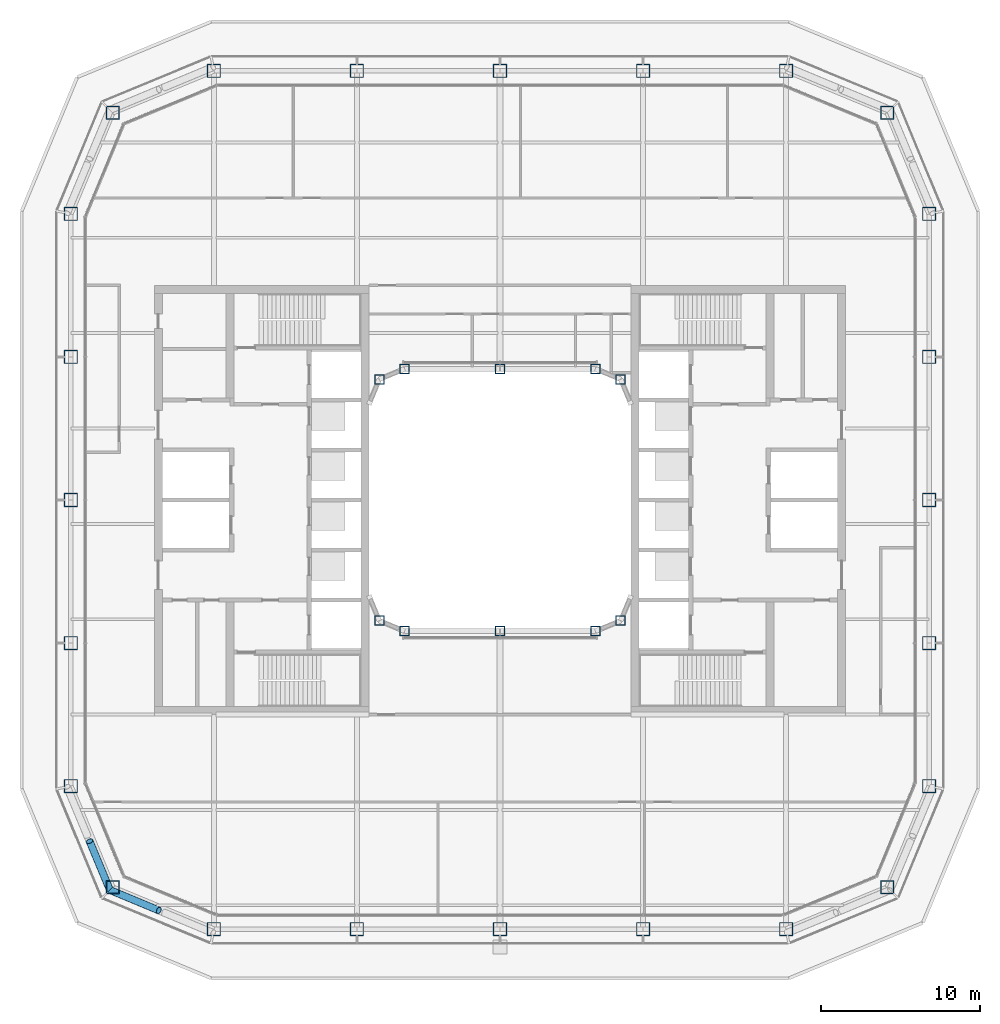
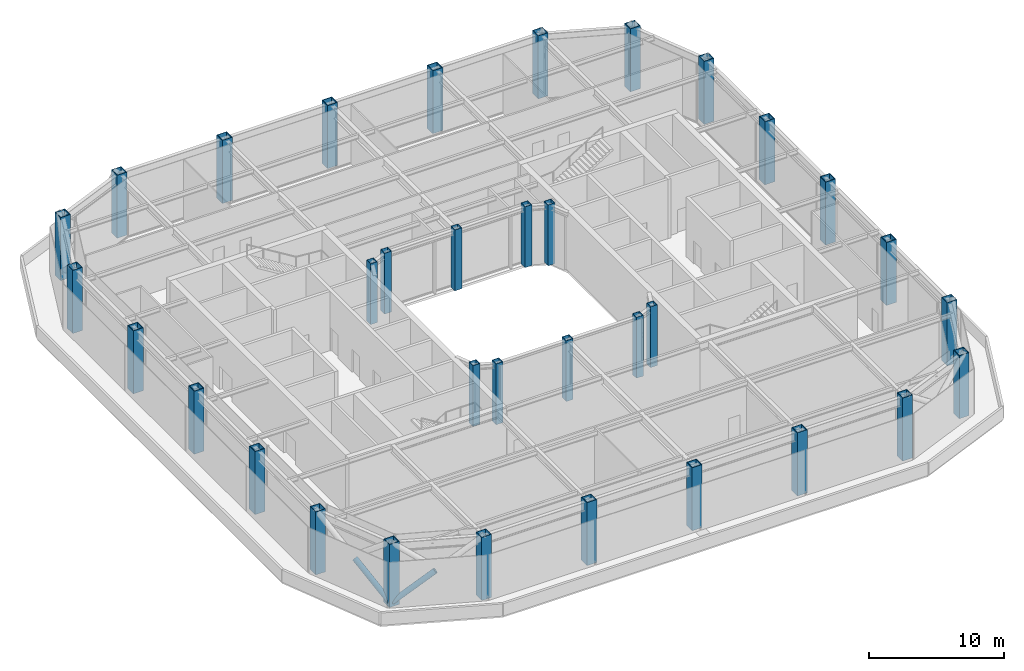
# One storey, part 1 of 19: 34 columns, 2 members.
"""IFC4 building model written with IfcOpenShell, lengths in metres."""

from ifc_helpers import new_model, si_unit, direction, frame, origin, origin_2d, place, context, subcontext, project, spatial, hollow_rectangle, hollow_circle, extrude, material, material_profile, profile_set, type_object, element, save


model = new_model("IFC4")

# Units and contexts
model_context = context("Model", 3, precision=1e-05, world=origin(), true_north=direction((0.0, 1.0)))
body_context = subcontext(model_context, "Body", "Model", "MODEL_VIEW")
ifc_project = project(units=[si_unit("LENGTHUNIT", "METRE"), si_unit("AREAUNIT", "SQUARE_METRE"), si_unit("VOLUMEUNIT", "CUBIC_METRE"), si_unit("PLANEANGLEUNIT", "RADIAN"), si_unit("MASSUNIT", "GRAM", prefix="KILO")], contexts=[model_context])

# Site, building, storey
site_placement = place(None, origin())
site = spatial("IfcSite", under=ifc_project, at=site_placement, CompositionType="ELEMENT")
building_placement = place(site_placement, origin())
building = spatial("IfcBuilding", under=site, at=building_placement, Name="Siwar Civic Tower", CompositionType="ELEMENT")
storey_placement = place(building_placement, frame((0.0, 0.0, 187.199951171875)))
storey = spatial("IfcBuildingStorey", under=building, at=storey_placement, Name="L40", CompositionType="ELEMENT", Elevation=187.199951171875)

# Columns
ifc_material_1 = material(Name="Steel S355", Category="steel")
ifc_material_profile_1 = material_profile(ifc_material_1, hollow_rectangle(XDim=0.85009765625, YDim=0.85009765625, WallThickness=0.050048828125, at=origin_2d()), Name="BOX850x850x50")
ifc_profile_set_1 = profile_set([ifc_material_profile_1], Name="Steel S355")
column_type_1 = type_object("IfcColumnType", Name="STR-COL-BOX850x850x50", PredefinedType="COLUMN", material=ifc_profile_set_1)
for number, where, z_axis, x_axis, name in (
    (1, (-18.0, -27.0, -0.199951171875), (0.0, 0.0, 1.0), (1.0, 0.0, 0.0), "L40/col/S-0"),
    (2, (-9.0, -27.0, -0.199951171875), (0.0, 0.0, 1.0), (1.0, 0.0, 0.0), "L40/col/S-1"),
    (3, (0.0, -27.0, -0.199951171875), (0.0, 0.0, 1.0), (1.0, 0.0, 0.0), "L40/col/S-2"),
    (4, (9.0, -27.0, -0.199951171875), (0.0, 0.0, 1.0), (1.0, 0.0, 0.0), "L40/col/S-3"),
    (5, (18.0, -27.0, -0.199951171875), (0.0, 0.0, 1.0), (1.0, 0.0, 0.0), "L40/col/SE1-0"),
    (6, (24.364013671875, -24.364013671875, -0.199951171875), (0.0, 0.0, 1.0), (1.0, 0.0, 0.0), "L40/col/SE2-0"),
    (7, (27.0, -18.0, -0.199951171875), (0.0, 0.0, 1.0), (1.0, 0.0, 0.0), "L40/col/E-0"),
    (8, (27.0, -9.0, -0.199951171875), (0.0, 0.0, 1.0), (1.0, 0.0, 0.0), "L40/col/E-1"),
    (9, (27.0, 0.0, -0.199951171875), (0.0, 0.0, 1.0), (1.0, 0.0, 0.0), "L40/col/E-2"),
    (10, (27.0, 9.0, -0.199951171875), (0.0, 0.0, 1.0), (1.0, 0.0, 0.0), "L40/col/E-3"),
    (11, (27.0, 18.0, -0.199951171875), (0.0, 0.0, 1.0), (1.0, 0.0, 0.0), "L40/col/NE1-0"),
    (12, (24.364013671875, 24.364013671875, -0.199951171875), (0.0, 0.0, 1.0), (1.0, 0.0, 0.0), "L40/col/NE2-0"),
    (13, (18.0, 27.0, -0.199951171875), (0.0, 0.0, 1.0), (1.0, 0.0, 0.0), "L40/col/N-0"),
    (14, (9.0, 27.0, -0.199951171875), (0.0, 0.0, 1.0), (1.0, 0.0, 0.0), "L40/col/N-1"),
    (15, (0.0, 27.0, -0.199951171875), (0.0, 0.0, 1.0), (1.0, 0.0, 0.0), "L40/col/N-2"),
    (16, (-9.0, 27.0, -0.199951171875), (0.0, 0.0, 1.0), (1.0, 0.0, 0.0), "L40/col/N-3"),
    (17, (-18.0, 27.0, -0.199951171875), (0.0, 0.0, 1.0), (1.0, 0.0, 0.0), "L40/col/NW1-0"),
    (18, (-24.364013671875, 24.364013671875, -0.199951171875), (0.0, 0.0, 1.0), (1.0, 0.0, 0.0), "L40/col/NW2-0"),
    (19, (-27.0, 18.0, -0.199951171875), (0.0, 0.0, 1.0), (1.0, 0.0, 0.0), "L40/col/W-0"),
    (20, (-27.0, 9.0, -0.199951171875), (0.0, 0.0, 1.0), (1.0, 0.0, 0.0), "L40/col/W-1"),
    (21, (-27.0, 0.0, -0.199951171875), (0.0, 0.0, 1.0), (1.0, 0.0, 0.0), "L40/col/W-2"),
    (22, (-27.0, -9.0, -0.199951171875), (0.0, 0.0, 1.0), (1.0, 0.0, 0.0), "L40/col/W-3"),
    (23, (-27.0, -18.0, -0.199951171875), (0.0, 0.0, 1.0), (1.0, 0.0, 0.0), "L40/col/SW1-0"),
    (24, (-24.364013671875, -24.364013671875, -0.199951171875), (0.0, 0.0, 1.0), (1.0, 0.0, 0.0), "L40/col/SW2-0"),
):
    element("IfcColumn", number, at=place(storey_placement, frame(where, z_axis=z_axis, x_axis=x_axis)), inside=storey, type_object=column_type_1, Name=name, PredefinedType="COLUMN", context=body_context, shape_type="SweptSolid", body=[
        extrude(hollow_rectangle(XDim=0.85009765625, YDim=0.85009765625, WallThickness=0.050048828125, at=origin_2d()), origin(), (0.0, 0.0, 1.0), 5.699951171875),
    ])
ifc_material_2 = material(Name="Steel S355", Category="steel")
ifc_material_profile_2 = material_profile(ifc_material_2, hollow_rectangle(XDim=0.60009765625, YDim=0.60009765625, WallThickness=0.031982421875, at=origin_2d()), Name="BOX600x600x32")
ifc_profile_set_2 = profile_set([ifc_material_profile_2], Name="Steel S355")
column_type_2 = type_object("IfcColumnType", Name="STR-ICOL-BOX600x600x32", PredefinedType="COLUMN", material=ifc_profile_set_2)
for number, where, z_axis, x_axis, name in (
    (25, (-7.591064453125, -7.591064453125, 0.0), (0.0, 0.0, 1.0), (1.0, 0.0, 0.0), "L40/col/IS-0"),
    (26, (-6.0, -8.25, 0.0), (0.0, 0.0, 1.0), (1.0, 0.0, 0.0), "L40/col/IS-1"),
    (27, (0.0, -8.25, 0.0), (0.0, 0.0, 1.0), (1.0, 0.0, 0.0), "L40/col/IS-2"),
    (28, (6.0, -8.25, 0.0), (0.0, 0.0, 1.0), (1.0, 0.0, 0.0), "L40/col/IS-3"),
    (29, (7.591064453125, -7.591064453125, 0.0), (0.0, 0.0, 1.0), (1.0, 0.0, 0.0), "L40/col/IS-4"),
    (30, (-7.591064453125, 7.591064453125, 0.0), (0.0, 0.0, 1.0), (1.0, 0.0, 0.0), "L40/col/IN-0"),
    (31, (-6.0, 8.25, 0.0), (0.0, 0.0, 1.0), (1.0, 0.0, 0.0), "L40/col/IN-1"),
    (32, (0.0, 8.25, 0.0), (0.0, 0.0, 1.0), (1.0, 0.0, 0.0), "L40/col/IN-2"),
    (33, (6.0, 8.25, 0.0), (0.0, 0.0, 1.0), (1.0, 0.0, 0.0), "L40/col/IN-3"),
    (34, (7.591064453125, 7.591064453125, 0.0), (0.0, 0.0, 1.0), (1.0, 0.0, 0.0), "L40/col/IN-4"),
):
    element("IfcColumn", number, at=place(storey_placement, frame(where, z_axis=z_axis, x_axis=x_axis)), inside=storey, type_object=column_type_2, Name=name, PredefinedType="COLUMN", context=body_context, shape_type="SweptSolid", body=[
        extrude(hollow_rectangle(XDim=0.60009765625, YDim=0.60009765625, WallThickness=0.031982421875, at=origin_2d()), origin(), (0.0, 0.0, 1.0), 5.5),
    ])

# Members
ifc_material_3 = material(Name="Steel S355", Category="steel")
ifc_material_profile_3 = material_profile(ifc_material_3, hollow_circle(Radius=0.228515625, WallThickness=0.02001953125, at=origin_2d()), Name="CHS457x20")
ifc_profile_set_3 = profile_set([ifc_material_profile_3], Name="Steel S355")
member_type = type_object("IfcMemberType", Name="STR-BR-CHS457x20", PredefinedType="BRACE", material=ifc_profile_set_3)
for number, where, z_axis, x_axis, name in (
    (35, (-24.540771484375, -24.540771484375, 0.0), (0.727124205174, -0.302925168513, 0.616057410094), (0.384568599462, 0.923096415499, 0.0), "L40/brc/CSW1-0-0-2"),
    (36, (-24.540771484375, -24.540771484375, 0.0), (-0.302925168513, 0.727124205174, 0.616057410094), (-0.923096415499, -0.384568599462, 0.0), "L40/brc/CSW1-0-0-4"),
):
    element("IfcMember", number, at=place(storey_placement, frame(where, z_axis=z_axis, x_axis=x_axis)), inside=storey, type_object=member_type, Name=name, PredefinedType="BRACE", context=body_context, shape_type="SweptSolid", body=[
        extrude(hollow_circle(Radius=0.228515625, WallThickness=0.02001953125, at=origin_2d()), origin(), (0.0, 0.0, 1.0), 4.233642578125),
    ])

save(model, "model.ifc")
